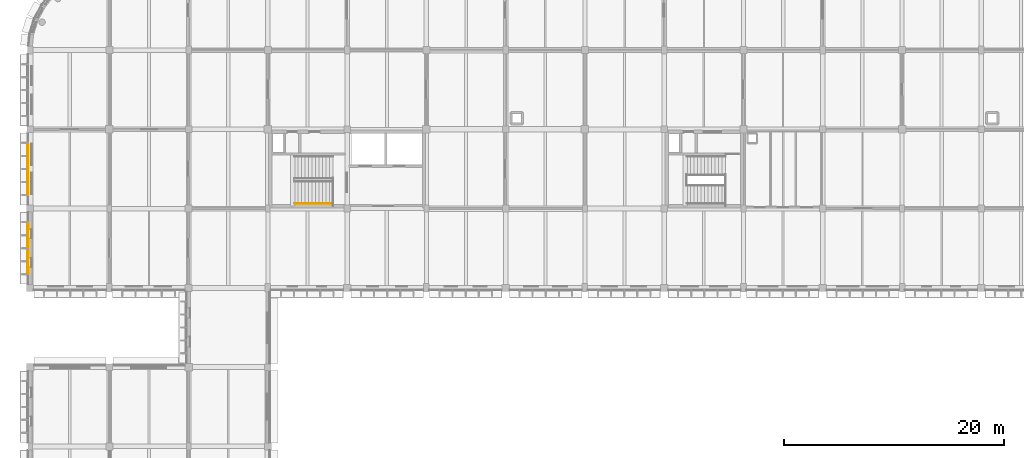
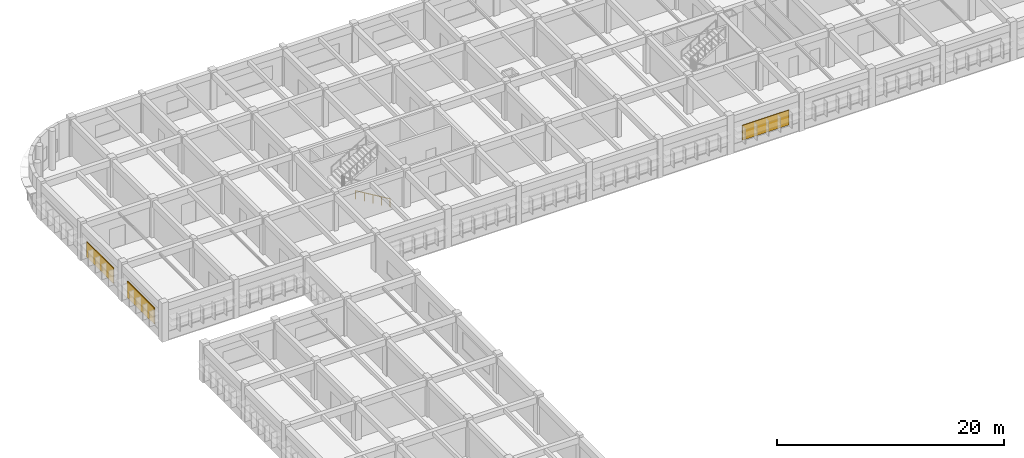
# One storey, part 35 of 38: 3 shading devices, 1 railing.
"""IFC4 building model written with IfcOpenShell, lengths in metres."""

from ifc_helpers import new_model, si_unit, direction, frame, origin, origin_2d, place, context, subcontext, project, spatial, rectangle, circle, extrude, material, layer, layer_set, type_object, element, save


model = new_model("IFC4")

# Units and contexts
model_context = context("Model", 3, precision=1e-05, world=origin(), true_north=direction((0.0, 1.0)))
body_context = subcontext(model_context, "Body", "Model", "MODEL_VIEW")
ifc_project = project(units=[si_unit("LENGTHUNIT", "METRE"), si_unit("AREAUNIT", "SQUARE_METRE"), si_unit("VOLUMEUNIT", "CUBIC_METRE"), si_unit("PLANEANGLEUNIT", "RADIAN"), si_unit("MASSUNIT", "GRAM", prefix="KILO")], contexts=[model_context])

# Site, building, storey
site_placement = place(None, origin())
site = spatial("IfcSite", under=ifc_project, at=site_placement, CompositionType="ELEMENT")
building_placement = place(site_placement, origin())
building = spatial("IfcBuilding", under=site, at=building_placement, Name="Thalmaran Polytechnic", CompositionType="ELEMENT")
storey_placement = place(building_placement, frame((0.0, 0.0, 18.60009765625)))
storey = spatial("IfcBuildingStorey", under=building, at=storey_placement, Name="L04", CompositionType="ELEMENT", Elevation=18.60009765625)

# Railing
ifc_material_1 = material(Name="Stainless steel 316", Category="steel")
railing_type = type_object("IfcRailingType", Name="RL-HR01", PredefinedType="HANDRAIL", material=ifc_material_1)
railing_placement = place(storey_placement, frame((27.52001953125, 101.280029296875, 0.0)))
element("IfcRailing", 1, at=railing_placement, inside=storey, type_object=railing_type, Name="ST2 L04 Flight 1 Handrail", PredefinedType="HANDRAIL", context=body_context, shape_type="SweptSolid", body=[
    extrude(circle(Radius=0.02392578125, at=origin_2d()), frame((0.0, 0.0, 0.8759765625), z_axis=(-0.858798815627, 0.0, 0.512312984686), x_axis=(0.0, -1.0, 0.0)), (0.0, 0.0, 1.0), 4.098876953125),
    extrude(circle(Radius=0.02099609375, at=origin_2d()), origin(), (0.0, 0.0, 1.0), 0.851806640625),
    extrude(circle(Radius=0.02099609375, at=origin_2d()), frame((-0.8798828125, 0.0, 0.52490234375)), (0.0, 0.0, 1.0), 0.851806640625),
    extrude(circle(Radius=0.02099609375, at=origin_2d()), frame((-1.760009765625, 0.0, 1.0498046875)), (0.0, 0.0, 1.0), 0.851806640625),
    extrude(circle(Radius=0.02099609375, at=origin_2d()), frame((-2.64013671875, 0.0, 1.574951171875)), (0.0, 0.0, 1.0), 0.851806640625),
    extrude(circle(Radius=0.02099609375, at=origin_2d()), frame((-3.52001953125, 0.0, 2.099853515625)), (0.0, 0.0, 1.0), 0.851806640625),
])

# Shading devices
ifc_material_2 = material(Name="Perforated anodised-bronze aluminium screen", Category="aluminium")
ifc_layer = layer(ifc_material_2, 0.080078125, Name="Perforated anodised-bronze aluminium screen")
ifc_layer_set = layer_set([ifc_layer], Name="Perforated anodised-bronze aluminium screen")
shading_device_type = type_object("IfcShadingDeviceType", Name="SH-JL01", PredefinedType="JALOUSIE", material=ifc_layer_set)
shading_device_1_placement = place(storey_placement, frame((-0.219970703125, 97.199951171875, 1.02490234375), z_axis=(0.0, 0.0, 1.0), x_axis=(0.0, 1.0, 0.0)))
element("IfcShadingDevice", 2, at=shading_device_1_placement, inside=storey, type_object=shading_device_type, Name="Anodised-Bronze Mashrabiya Solar Screen L04-042", PredefinedType="JALOUSIE", context=body_context, shape_type="SweptSolid", body=[
    extrude(rectangle(XDim=4.726806640625, YDim=0.080078125, at=origin_2d()), origin(), (0.0, 0.0, 1.0), 1.75),
])
shading_device_2_placement = place(storey_placement, frame((-0.219970703125, 104.39990234375, 1.02490234375), z_axis=(0.0, 0.0, 1.0), x_axis=(0.0, 1.0, 0.0)))
element("IfcShadingDevice", 3, at=shading_device_2_placement, inside=storey, type_object=shading_device_type, Name="Anodised-Bronze Mashrabiya Solar Screen L04-043", PredefinedType="JALOUSIE", context=body_context, shape_type="SweptSolid", body=[
    extrude(rectangle(XDim=4.744873046875, YDim=0.080078125, at=origin_2d()), origin(), (0.0, 0.0, 1.0), 1.64990234375),
])
shading_device_3_placement = place(storey_placement, frame((61.199951171875, 93.3798828125, 1.02490234375), z_axis=(0.0, 0.0, 1.0), x_axis=(-1.0, 0.0, 0.0)))
element("IfcShadingDevice", 4, at=shading_device_3_placement, inside=storey, type_object=shading_device_type, Name="Anodised-Bronze Mashrabiya Solar Screen L04-073", PredefinedType="JALOUSIE", context=body_context, shape_type="SweptSolid", body=[
    extrude(rectangle(XDim=4.77001953125, YDim=0.080078125, at=origin_2d()), origin(), (0.0, 0.0, 1.0), 1.60009765625),
])

save(model, "model.ifc")
